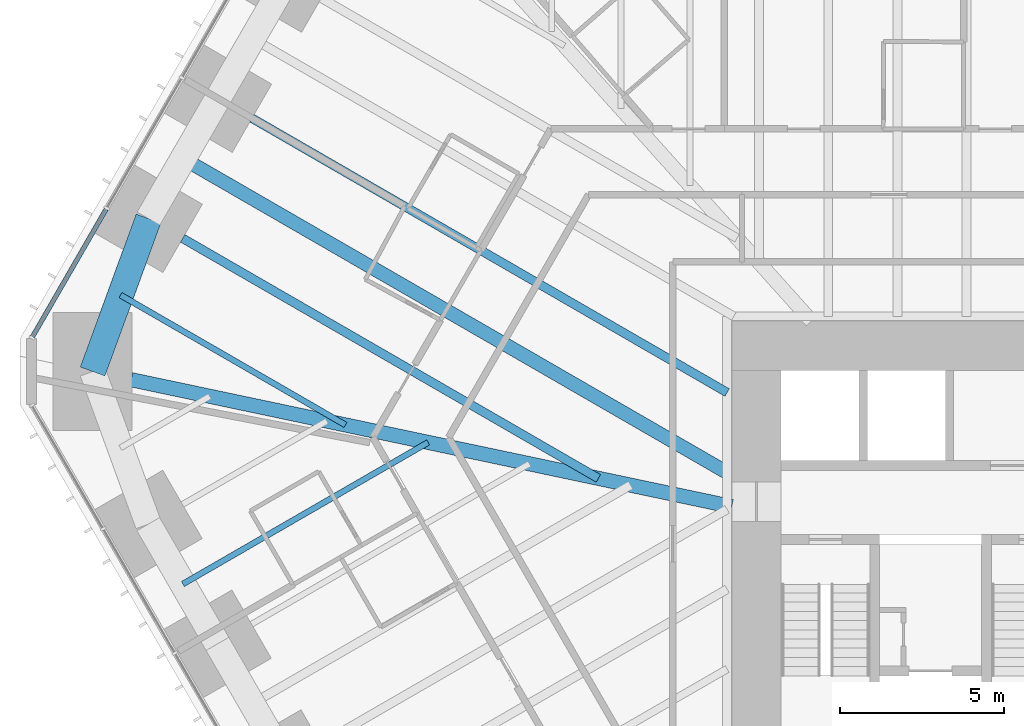
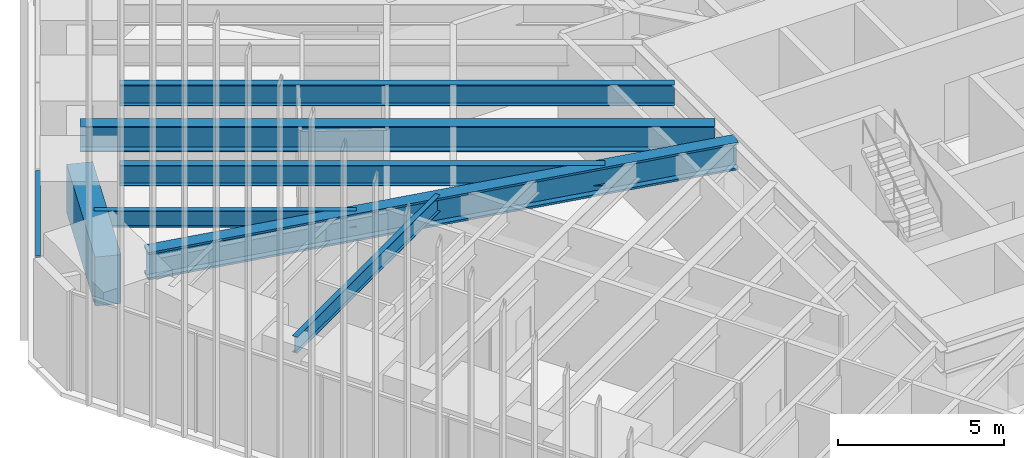
# One storey, part 138 of 256: 7 beams, 1 member, 1 element without a shape of its own.
"""IFC4 building model written with IfcOpenShell, lengths in metres."""

from ifc_helpers import new_model, si_unit, direction, frame, origin, origin_2d, place, context, subcontext, project, spatial, rectangle, i_section, extrude, material, material_profile, profile_set, type_object, element, aggregate, save


model = new_model("IFC4")

# Units and contexts
model_context = context("Model", 3, precision=1e-05, world=origin(), true_north=direction((0.0, 1.0)))
body_context = subcontext(model_context, "Body", "Model", "MODEL_VIEW")
ifc_project = project(units=[si_unit("LENGTHUNIT", "METRE"), si_unit("AREAUNIT", "SQUARE_METRE"), si_unit("VOLUMEUNIT", "CUBIC_METRE"), si_unit("PLANEANGLEUNIT", "RADIAN"), si_unit("MASSUNIT", "GRAM", prefix="KILO")], contexts=[model_context])

# Site, building, storey
site_placement = place(None, origin())
site = spatial("IfcSite", under=ifc_project, at=site_placement, CompositionType="ELEMENT")
building_placement = place(site_placement, origin())
building = spatial("IfcBuilding", under=site, at=building_placement, Name="Sandreach Pilgrim Tower", CompositionType="ELEMENT")
storey_placement = place(building_placement, frame((0.0, 0.0, 23.0)))
storey = spatial("IfcBuildingStorey", under=building, at=storey_placement, Name="L04", CompositionType="ELEMENT", Elevation=23.0)

# Curtain wall, member
ifc_material_1 = material(Name="Aluminium framed curtain wall", Category="aluminium")
curtain_wall_type = type_object("IfcCurtainWallType", Name="Hostel tower curtain wall", PredefinedType="NOTDEFINED", material=ifc_material_1)
curtain_wall_placement = place(storey_placement, origin())
curtain_wall = element("IfcCurtainWall", 1, at=curtain_wall_placement, inside=storey, type_object=curtain_wall_type, Name="CW-1 L04 NW", PredefinedType="NOTDEFINED")
ifc_material_2 = material(Name="Aluminium extrusion", Category="aluminium")
ifc_material_profile_1 = material_profile(ifc_material_2, rectangle(XDim=0.139892578125, YDim=0.070068359375, at=origin_2d()), Name="CW-1T 140X70")
ifc_profile_set_1 = profile_set([ifc_material_profile_1], Name="Aluminium extrusion")
member_type = type_object("IfcMemberType", Name="CW-1 transom", PredefinedType="USERDEFINED", material=ifc_profile_set_1)
member_placement = place(storey_placement, frame((-30.543701171875, 7.118408203125, 3.60498046875), z_axis=(0.499976706761, 0.866038851724, 0.0), x_axis=(-0.866038851724, 0.499976706761, 0.0)))
member = element("IfcMember", 2, at=member_placement, type_object=member_type, Name="CW-1 head transom 1", ObjectType="TRANSOM", PredefinedType="USERDEFINED", context=body_context, shape_type="SweptSolid", body=[
    extrude(rectangle(XDim=0.139892578125, YDim=0.070068359375, at=origin_2d()), origin(), (0.0, 0.0, 1.0), 4.488525390625),
])
aggregate(curtain_wall, [member])

# Beams
ifc_material_3 = material(Name="Steel ASTM A992 Grade 50", Category="steel")
ifc_material_profile_2 = material_profile(ifc_material_3, i_section(OverallWidth=0.436767578125, OverallDepth=1.010986328125, WebThickness=0.040771484375, FlangeThickness=0.073974609375, at=origin_2d()), Name="W36X529")
ifc_profile_set_2 = profile_set([ifc_material_profile_2], Name="Steel ASTM A992 Grade 50")
beam_type_1 = type_object("IfcBeamType", Name="Corner girder W36X529", PredefinedType="BEAM", material=ifc_profile_set_2)
beam_1_placement = place(storey_placement, frame((-27.53857421875, 5.814208984375, 3.134521484375), z_axis=(0.978429884383, -0.206579189045, 0.0), x_axis=(0.206579189045, 0.978429884383, 0.0)))
element("IfcBeam", 3, at=beam_1_placement, inside=storey, type_object=beam_type_1, Name="BM L04 CG35", PredefinedType="BEAM", context=body_context, shape_type="SweptSolid", body=[
    extrude(i_section(OverallWidth=0.436767578125, OverallDepth=1.010986328125, WebThickness=0.040771484375, FlangeThickness=0.073974609375, at=origin_2d()), origin(), (0.0, 0.0, 1.0), 18.691650390625),
])
ifc_material_4 = material(Name="Steel ASTM A992 Grade 50", Category="steel")
ifc_material_profile_3 = material_profile(ifc_material_4, i_section(OverallWidth=0.1787109375, OverallDepth=0.60205078125, WebThickness=0.010986328125, FlangeThickness=0.014892578125, at=origin_2d()), Name="W24X62")
ifc_profile_set_3 = profile_set([ifc_material_profile_3], Name="Steel ASTM A992 Grade 50")
beam_type_2 = type_object("IfcBeamType", Name="Floor beam W24X62", PredefinedType="BEAM", material=ifc_profile_set_3)
beam_2_placement = place(storey_placement, frame((-25.9638671875, -0.40673828125, 3.339111328125), z_axis=(0.866020100198, 0.500009185969, 0.0), x_axis=(-0.500009185969, 0.866020100198, 0.0)))
element("IfcBeam", 4, at=beam_2_placement, inside=storey, type_object=beam_type_2, Name="BM L04 FM33", PredefinedType="BEAM", context=body_context, shape_type="SweptSolid", body=[
    extrude(i_section(OverallWidth=0.1787109375, OverallDepth=0.60205078125, WebThickness=0.010986328125, FlangeThickness=0.014892578125, at=origin_2d()), origin(), (0.0, 0.0, 1.0), 8.623291015625),
])
beam_3_placement = place(storey_placement, frame((-27.861328125, 8.390380859375, 3.339111328125), z_axis=(0.866028778003, -0.499994155636, 0.0), x_axis=(0.499994155636, 0.866028778003, 0.0)))
element("IfcBeam", 5, at=beam_3_placement, inside=storey, type_object=beam_type_2, Name="BM L04 FM35", PredefinedType="BEAM", context=body_context, shape_type="SweptSolid", body=[
    extrude(i_section(OverallWidth=0.1787109375, OverallDepth=0.60205078125, WebThickness=0.010986328125, FlangeThickness=0.014892578125, at=origin_2d()), origin(), (0.0, 0.0, 1.0), 7.90771484375),
])
ifc_material_5 = material(Name="Steel ASTM A992 Grade 50", Category="steel")
ifc_material_profile_4 = material_profile(ifc_material_5, i_section(OverallWidth=0.2666015625, OverallDepth=0.761962890625, WebThickness=0.014404296875, FlangeThickness=0.021484375, at=origin_2d()), Name="W30X116")
ifc_profile_set_4 = profile_set([ifc_material_profile_4], Name="Steel ASTM A992 Grade 50")
beam_type_3 = type_object("IfcBeamType", Name="Floor beam W30X116", PredefinedType="BEAM", material=ifc_profile_set_4)
beam_4_placement = place(storey_placement, frame((-25.970947265625, 10.118896484375, 3.259033203125), z_axis=(0.866020355572, -0.500008743658, 0.0), x_axis=(0.500008743658, 0.866020355572, 0.0)))
element("IfcBeam", 6, at=beam_4_placement, inside=storey, type_object=beam_type_3, Name="BM L04 F36", PredefinedType="BEAM", context=body_context, shape_type="SweptSolid", body=[
    extrude(i_section(OverallWidth=0.2666015625, OverallDepth=0.761962890625, WebThickness=0.014404296875, FlangeThickness=0.021484375, at=origin_2d()), origin(), (0.0, 0.0, 1.0), 14.615966796875),
])
ifc_material_6 = material(Name="Steel ASTM A992 Grade 50", Category="steel")
ifc_material_profile_5 = material_profile(ifc_material_6, i_section(OverallWidth=0.2666015625, OverallDepth=0.77978515625, WebThickness=0.0166015625, FlangeThickness=0.030029296875, at=origin_2d()), Name="W30X148")
ifc_profile_set_5 = profile_set([ifc_material_profile_5], Name="Steel ASTM A992 Grade 50")
beam_type_4 = type_object("IfcBeamType", Name="Floor beam W30X148", PredefinedType="BEAM", material=ifc_profile_set_5)
beam_5_placement = place(storey_placement, frame((-23.85986328125, 13.775390625, 3.25), z_axis=(0.866031037473, -0.499990242038, 0.0), x_axis=(0.499990242038, 0.866031037473, 0.0)))
element("IfcBeam", 7, at=beam_5_placement, inside=storey, type_object=beam_type_4, Name="BM L04 F37", PredefinedType="BEAM", context=body_context, shape_type="SweptSolid", body=[
    extrude(i_section(OverallWidth=0.2666015625, OverallDepth=0.77978515625, WebThickness=0.0166015625, FlangeThickness=0.030029296875, at=origin_2d()), origin(), (0.0, 0.0, 1.0), 16.704345703125),
])
ifc_material_7 = material(Name="Steel ASTM A992 Grade 50", Category="steel")
ifc_material_profile_6 = material_profile(ifc_material_7, i_section(OverallWidth=0.419189453125, OverallDepth=0.927001953125, WebThickness=0.019287109375, FlangeThickness=0.031982421875, at=origin_2d()), Name="W36X231")
ifc_profile_set_6 = profile_set([ifc_material_profile_6], Name="Steel ASTM A992 Grade 50")
beam_type_5 = type_object("IfcBeamType", Name="Floor beam W36X231", PredefinedType="BEAM", material=ifc_profile_set_6)
beam_6_placement = place(storey_placement, frame((-25.95458984375, 12.547119140625, 3.176513671875), z_axis=(0.866028474707, -0.499994680968, 0.0), x_axis=(0.499994680968, 0.866028474707, 0.0)))
element("IfcBeam", 8, at=beam_6_placement, inside=storey, type_object=beam_type_5, Name="BM L04 FM36", PredefinedType="BEAM", context=body_context, shape_type="SweptSolid", body=[
    extrude(i_section(OverallWidth=0.419189453125, OverallDepth=0.927001953125, WebThickness=0.019287109375, FlangeThickness=0.031982421875, at=origin_2d()), origin(), (0.0, 0.0, 1.0), 19.123291015625),
])
ifc_material_8 = material(Name="Concrete 10000 psi", Category="concrete")
ifc_material_profile_7 = material_profile(ifc_material_8, rectangle(XDim=0.800048828125, YDim=1.800048828125, at=origin_2d()), Name="RC800X1800")
ifc_profile_set_7 = profile_set([ifc_material_profile_7], Name="Concrete 10000 psi")
beam_type_6 = type_object("IfcBeamType", Name="Spandrel beam RC800X1800", PredefinedType="SPANDREL", material=ifc_profile_set_7)
beam_7_placement = place(storey_placement, frame((-28.712646484375, 6.062255859375, 2.739990234375), z_axis=(0.343367552823, 0.939201109278, 0.0), x_axis=(-0.939201109278, 0.343367552823, 0.0)))
element("IfcBeam", 9, at=beam_7_placement, inside=storey, type_object=beam_type_6, Name="BM L04 SP35", PredefinedType="SPANDREL", context=body_context, shape_type="SweptSolid", body=[
    extrude(rectangle(XDim=0.800048828125, YDim=1.800048828125, at=origin_2d()), origin(), (0.0, 0.0, 1.0), 4.9580078125),
])

save(model, "model.ifc")
